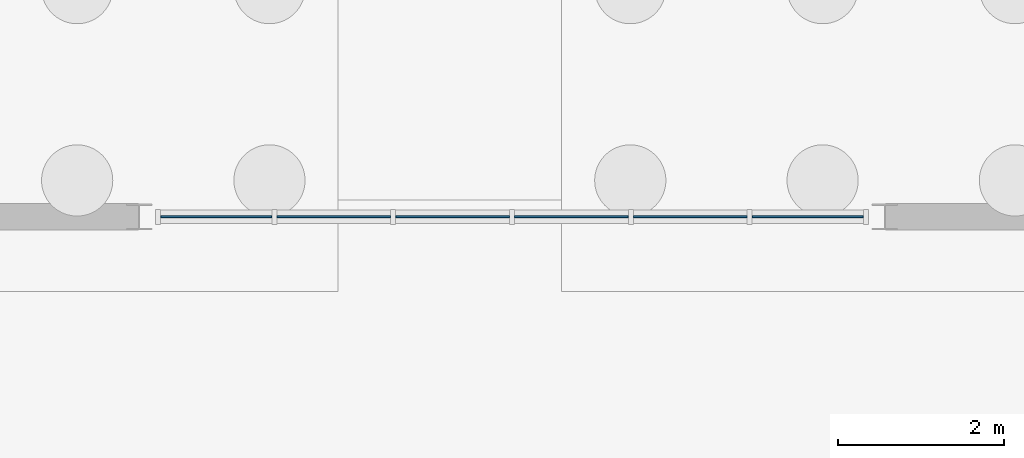
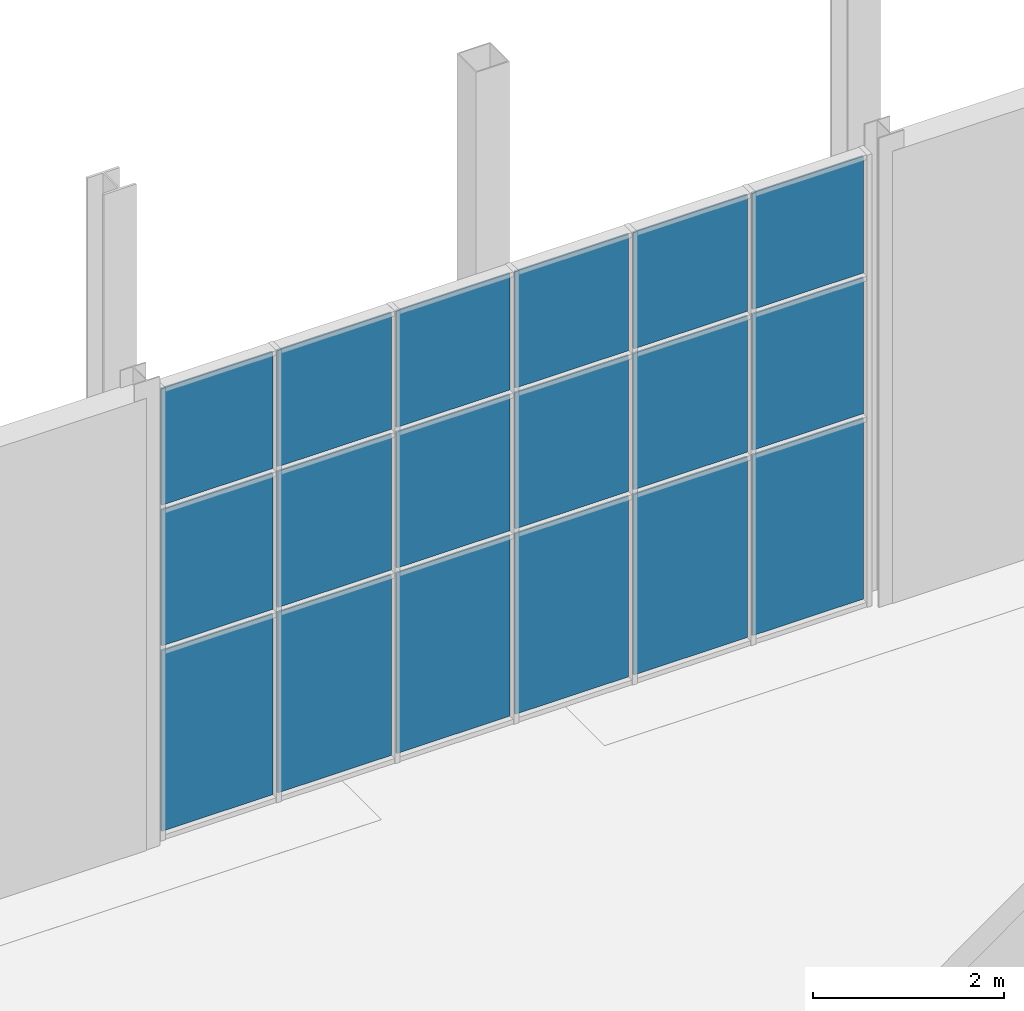
# One storey, part 88 of 131: 18 plates, 1 element without a shape of its own.
"""IFC4 building model written with IfcOpenShell, lengths in metres."""

from ifc_helpers import new_model, si_unit, direction, frame, origin, origin_2d, place, context, subcontext, project, spatial, rectangle, extrude, material, layer, layer_set, type_object, element, aggregate, save


model = new_model("IFC4")

# Units and contexts
model_context = context("Model", 3, precision=1e-05, world=origin(), true_north=direction((0.0, 1.0)))
body_context = subcontext(model_context, "Body", "Model", "MODEL_VIEW")
ifc_project = project(units=[si_unit("LENGTHUNIT", "METRE"), si_unit("AREAUNIT", "SQUARE_METRE"), si_unit("VOLUMEUNIT", "CUBIC_METRE"), si_unit("PLANEANGLEUNIT", "RADIAN"), si_unit("MASSUNIT", "GRAM", prefix="KILO")], contexts=[model_context])

# Site, building, storey
site_placement = place(None, origin())
site = spatial("IfcSite", under=ifc_project, at=site_placement, CompositionType="ELEMENT")
building_placement = place(site_placement, origin())
building = spatial("IfcBuilding", under=site, at=building_placement, Name="Cazmaro Siding Exhibition Halls", CompositionType="ELEMENT")
storey_placement = place(building_placement, origin())
storey = spatial("IfcBuildingStorey", under=building, at=storey_placement, Name="L00", CompositionType="ELEMENT", Elevation=0.0)

# Curtain wall, plates
ifc_material_1 = material(Name="Anodized Bronze Aluminum and Solar-Control Low-E Glazing", Category="aluminium")
ifc_layer_1 = layer(ifc_material_1, 0.179931640625)
ifc_layer_set_1 = layer_set([ifc_layer_1], Name="Anodized Bronze Aluminum and Solar-Control Low-E Glazing")
curtain_wall_type = type_object("IfcCurtainWallType", Name="CWS-01", PredefinedType="USERDEFINED", material=ifc_layer_set_1)
curtain_wall_placement = place(storey_placement, origin())
curtain_wall = element("IfcCurtainWall", 1, at=curtain_wall_placement, inside=storey, type_object=curtain_wall_type, Name="Glazed Curtain Wall CWS-01 CW-030", ObjectType="GLAZED CURTAIN WALL", PredefinedType="USERDEFINED")
ifc_material_2 = material(Name="Solar-Control Low-E Double Insulating Glass", Category="glass")
ifc_layer_2 = layer(ifc_material_2, 0.02392578125)
ifc_layer_set_2 = layer_set([ifc_layer_2], Name="Solar-Control Low-E Double Insulating Glass")
plate_type = type_object("IfcPlateType", Name="CWP-01", PredefinedType="CURTAIN_PANEL", material=ifc_layer_set_2)
plate_1_placement = place(storey_placement, frame((119.07080078125, 120.800048828125, 0.06005859375), z_axis=(0.0, 0.0, 1.0), x_axis=(-1.0, 0.0, 0.0)))
plate_1 = element("IfcPlate", 2, at=plate_1_placement, type_object=plate_type, Name="CWS-01 panel 1.1", PredefinedType="CURTAIN_PANEL", context=body_context, shape_type="SweptSolid", body=[
    extrude(rectangle(XDim=1.34423828125, YDim=0.02392578125, at=origin_2d()), origin(), (0.0, 0.0, 1.0), 2.31005859375),
])
plate_2_placement = place(storey_placement, frame((119.07080078125, 120.800048828125, 2.43017578125), z_axis=(0.0, 0.0, 1.0), x_axis=(-1.0, 0.0, 0.0)))
plate_2 = element("IfcPlate", 3, at=plate_2_placement, type_object=plate_type, Name="CWS-01 panel 1.2", PredefinedType="CURTAIN_PANEL", context=body_context, shape_type="SweptSolid", body=[
    extrude(rectangle(XDim=1.34423828125, YDim=0.02392578125, at=origin_2d()), origin(), (0.0, 0.0, 1.0), 1.739990234375),
])
plate_3_placement = place(storey_placement, frame((119.07080078125, 120.800048828125, 4.22998046875), z_axis=(0.0, 0.0, 1.0), x_axis=(-1.0, 0.0, 0.0)))
plate_3 = element("IfcPlate", 4, at=plate_3_placement, type_object=plate_type, Name="CWS-01 panel 1.3", PredefinedType="CURTAIN_PANEL", context=body_context, shape_type="SweptSolid", body=[
    extrude(rectangle(XDim=1.34423828125, YDim=0.02392578125, at=origin_2d()), origin(), (0.0, 0.0, 1.0), 1.489990234375),
])
plate_4_placement = place(storey_placement, frame((117.651611328125, 120.800048828125, 0.06005859375), z_axis=(0.0, 0.0, 1.0), x_axis=(-1.0, 0.0, 0.0)))
plate_4 = element("IfcPlate", 5, at=plate_4_placement, type_object=plate_type, Name="CWS-01 panel 2.1", PredefinedType="CURTAIN_PANEL", context=body_context, shape_type="SweptSolid", body=[
    extrude(rectangle(XDim=1.374267578125, YDim=0.02392578125, at=origin_2d()), origin(), (0.0, 0.0, 1.0), 2.31005859375),
])
plate_5_placement = place(storey_placement, frame((117.651611328125, 120.800048828125, 2.43017578125), z_axis=(0.0, 0.0, 1.0), x_axis=(-1.0, 0.0, 0.0)))
plate_5 = element("IfcPlate", 6, at=plate_5_placement, type_object=plate_type, Name="CWS-01 panel 2.2", PredefinedType="CURTAIN_PANEL", context=body_context, shape_type="SweptSolid", body=[
    extrude(rectangle(XDim=1.374267578125, YDim=0.02392578125, at=origin_2d()), origin(), (0.0, 0.0, 1.0), 1.739990234375),
])
plate_6_placement = place(storey_placement, frame((117.651611328125, 120.800048828125, 4.22998046875), z_axis=(0.0, 0.0, 1.0), x_axis=(-1.0, 0.0, 0.0)))
plate_6 = element("IfcPlate", 7, at=plate_6_placement, type_object=plate_type, Name="CWS-01 panel 2.3", PredefinedType="CURTAIN_PANEL", context=body_context, shape_type="SweptSolid", body=[
    extrude(rectangle(XDim=1.374267578125, YDim=0.02392578125, at=origin_2d()), origin(), (0.0, 0.0, 1.0), 1.489990234375),
])
plate_7_placement = place(storey_placement, frame((116.21728515625, 120.800048828125, 0.06005859375), z_axis=(0.0, 0.0, 1.0), x_axis=(-1.0, 0.0, 0.0)))
plate_7 = element("IfcPlate", 8, at=plate_7_placement, type_object=plate_type, Name="CWS-01 panel 3.1", PredefinedType="CURTAIN_PANEL", context=body_context, shape_type="SweptSolid", body=[
    extrude(rectangle(XDim=1.374267578125, YDim=0.02392578125, at=origin_2d()), origin(), (0.0, 0.0, 1.0), 2.31005859375),
])
plate_8_placement = place(storey_placement, frame((116.21728515625, 120.800048828125, 2.43017578125), z_axis=(0.0, 0.0, 1.0), x_axis=(-1.0, 0.0, 0.0)))
plate_8 = element("IfcPlate", 9, at=plate_8_placement, type_object=plate_type, Name="CWS-01 panel 3.2", PredefinedType="CURTAIN_PANEL", context=body_context, shape_type="SweptSolid", body=[
    extrude(rectangle(XDim=1.374267578125, YDim=0.02392578125, at=origin_2d()), origin(), (0.0, 0.0, 1.0), 1.739990234375),
])
plate_9_placement = place(storey_placement, frame((116.21728515625, 120.800048828125, 4.22998046875), z_axis=(0.0, 0.0, 1.0), x_axis=(-1.0, 0.0, 0.0)))
plate_9 = element("IfcPlate", 10, at=plate_9_placement, type_object=plate_type, Name="CWS-01 panel 3.3", PredefinedType="CURTAIN_PANEL", context=body_context, shape_type="SweptSolid", body=[
    extrude(rectangle(XDim=1.374267578125, YDim=0.02392578125, at=origin_2d()), origin(), (0.0, 0.0, 1.0), 1.489990234375),
])
plate_10_placement = place(storey_placement, frame((114.78271484375, 120.800048828125, 0.06005859375), z_axis=(0.0, 0.0, 1.0), x_axis=(-1.0, 0.0, 0.0)))
plate_10 = element("IfcPlate", 11, at=plate_10_placement, type_object=plate_type, Name="CWS-01 panel 4.1", PredefinedType="CURTAIN_PANEL", context=body_context, shape_type="SweptSolid", body=[
    extrude(rectangle(XDim=1.374267578125, YDim=0.02392578125, at=origin_2d()), origin(), (0.0, 0.0, 1.0), 2.31005859375),
])
plate_11_placement = place(storey_placement, frame((114.78271484375, 120.800048828125, 2.43017578125), z_axis=(0.0, 0.0, 1.0), x_axis=(-1.0, 0.0, 0.0)))
plate_11 = element("IfcPlate", 12, at=plate_11_placement, type_object=plate_type, Name="CWS-01 panel 4.2", PredefinedType="CURTAIN_PANEL", context=body_context, shape_type="SweptSolid", body=[
    extrude(rectangle(XDim=1.374267578125, YDim=0.02392578125, at=origin_2d()), origin(), (0.0, 0.0, 1.0), 1.739990234375),
])
plate_12_placement = place(storey_placement, frame((114.78271484375, 120.800048828125, 4.22998046875), z_axis=(0.0, 0.0, 1.0), x_axis=(-1.0, 0.0, 0.0)))
plate_12 = element("IfcPlate", 13, at=plate_12_placement, type_object=plate_type, Name="CWS-01 panel 4.3", PredefinedType="CURTAIN_PANEL", context=body_context, shape_type="SweptSolid", body=[
    extrude(rectangle(XDim=1.374267578125, YDim=0.02392578125, at=origin_2d()), origin(), (0.0, 0.0, 1.0), 1.489990234375),
])
plate_13_placement = place(storey_placement, frame((113.348388671875, 120.800048828125, 0.06005859375), z_axis=(0.0, 0.0, 1.0), x_axis=(-1.0, 0.0, 0.0)))
plate_13 = element("IfcPlate", 14, at=plate_13_placement, type_object=plate_type, Name="CWS-01 panel 5.1", PredefinedType="CURTAIN_PANEL", context=body_context, shape_type="SweptSolid", body=[
    extrude(rectangle(XDim=1.374267578125, YDim=0.02392578125, at=origin_2d()), origin(), (0.0, 0.0, 1.0), 2.31005859375),
])
plate_14_placement = place(storey_placement, frame((113.348388671875, 120.800048828125, 2.43017578125), z_axis=(0.0, 0.0, 1.0), x_axis=(-1.0, 0.0, 0.0)))
plate_14 = element("IfcPlate", 15, at=plate_14_placement, type_object=plate_type, Name="CWS-01 panel 5.2", PredefinedType="CURTAIN_PANEL", context=body_context, shape_type="SweptSolid", body=[
    extrude(rectangle(XDim=1.374267578125, YDim=0.02392578125, at=origin_2d()), origin(), (0.0, 0.0, 1.0), 1.739990234375),
])
plate_15_placement = place(storey_placement, frame((113.348388671875, 120.800048828125, 4.22998046875), z_axis=(0.0, 0.0, 1.0), x_axis=(-1.0, 0.0, 0.0)))
plate_15 = element("IfcPlate", 16, at=plate_15_placement, type_object=plate_type, Name="CWS-01 panel 5.3", PredefinedType="CURTAIN_PANEL", context=body_context, shape_type="SweptSolid", body=[
    extrude(rectangle(XDim=1.374267578125, YDim=0.02392578125, at=origin_2d()), origin(), (0.0, 0.0, 1.0), 1.489990234375),
])
plate_16_placement = place(storey_placement, frame((111.92919921875, 120.800048828125, 0.06005859375), z_axis=(0.0, 0.0, 1.0), x_axis=(-1.0, 0.0, 0.0)))
plate_16 = element("IfcPlate", 17, at=plate_16_placement, type_object=plate_type, Name="CWS-01 panel 6.1", PredefinedType="CURTAIN_PANEL", context=body_context, shape_type="SweptSolid", body=[
    extrude(rectangle(XDim=1.34423828125, YDim=0.02392578125, at=origin_2d()), origin(), (0.0, 0.0, 1.0), 2.31005859375),
])
plate_17_placement = place(storey_placement, frame((111.92919921875, 120.800048828125, 2.43017578125), z_axis=(0.0, 0.0, 1.0), x_axis=(-1.0, 0.0, 0.0)))
plate_17 = element("IfcPlate", 18, at=plate_17_placement, type_object=plate_type, Name="CWS-01 panel 6.2", PredefinedType="CURTAIN_PANEL", context=body_context, shape_type="SweptSolid", body=[
    extrude(rectangle(XDim=1.34423828125, YDim=0.02392578125, at=origin_2d()), origin(), (0.0, 0.0, 1.0), 1.739990234375),
])
plate_18_placement = place(storey_placement, frame((111.92919921875, 120.800048828125, 4.22998046875), z_axis=(0.0, 0.0, 1.0), x_axis=(-1.0, 0.0, 0.0)))
plate_18 = element("IfcPlate", 19, at=plate_18_placement, type_object=plate_type, Name="CWS-01 panel 6.3", PredefinedType="CURTAIN_PANEL", context=body_context, shape_type="SweptSolid", body=[
    extrude(rectangle(XDim=1.34423828125, YDim=0.02392578125, at=origin_2d()), origin(), (0.0, 0.0, 1.0), 1.489990234375),
])
aggregate(curtain_wall, [plate_1, plate_2, plate_3, plate_4, plate_5, plate_6, plate_7, plate_8, plate_9, plate_10, plate_11, plate_12, plate_13, plate_14, plate_15, plate_16, plate_17, plate_18])

save(model, "model.ifc")
